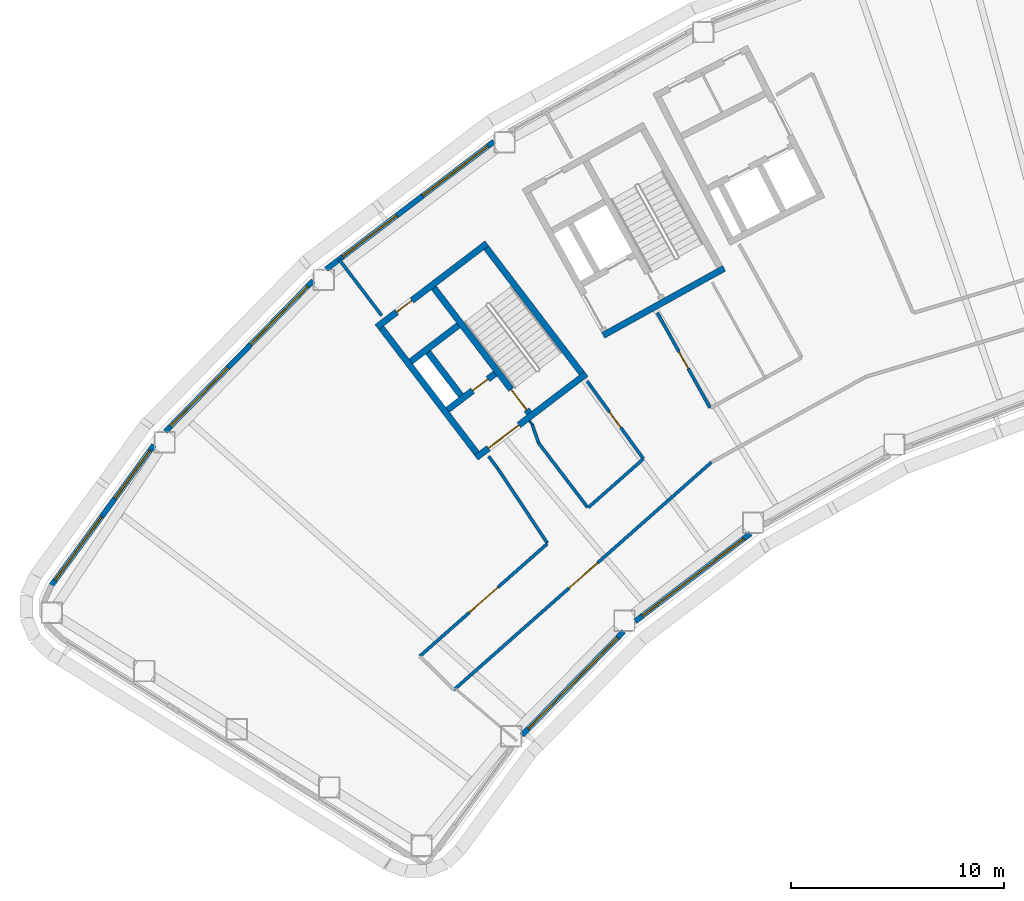
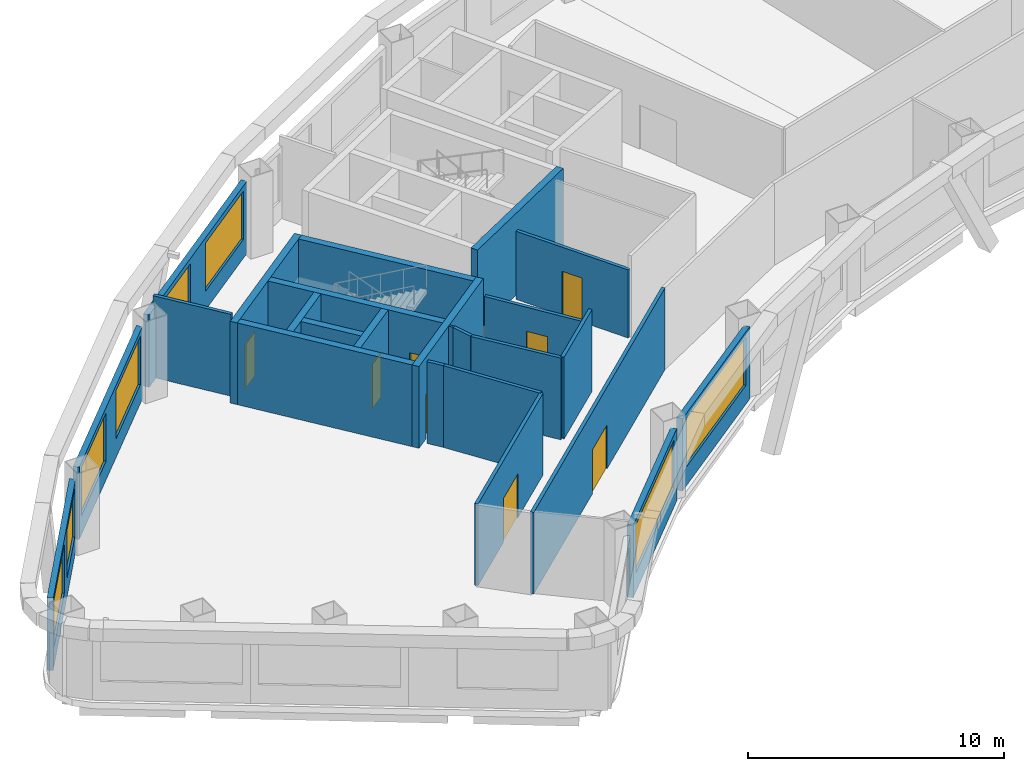
# One storey, part 3 of 13: 25 walls, 8 doors, 8 windows, 16 openings.
"""IFC4 building model written with IfcOpenShell, lengths in metres."""

from ifc_helpers import new_model, si_unit, direction, frame, frame_2d, origin, place, context, subcontext, project, spatial, rectangle, extrude, material, layer, layer_set, type_object, element, fill, save


model = new_model("IFC4")

# Units and contexts
model_context = context("Model", 3, precision=1e-05, world=origin(), true_north=direction((0.0, 1.0)))
body_context = subcontext(model_context, "Body", "Model", "MODEL_VIEW")
ifc_project = project(units=[si_unit("LENGTHUNIT", "METRE"), si_unit("AREAUNIT", "SQUARE_METRE"), si_unit("VOLUMEUNIT", "CUBIC_METRE"), si_unit("PLANEANGLEUNIT", "RADIAN"), si_unit("MASSUNIT", "GRAM", prefix="KILO")], contexts=[model_context])

# Site, building, storey
site_placement = place(None, origin())
site = spatial("IfcSite", under=ifc_project, at=site_placement, CompositionType="ELEMENT")
building_placement = place(site_placement, origin())
building = spatial("IfcBuilding", under=site, at=building_placement, Name="Tuul Gate Civic Tower", CompositionType="ELEMENT")
storey_placement = place(building_placement, frame((0.0, 0.0, 150.800048828125)))
storey = spatial("IfcBuildingStorey", under=building, at=storey_placement, Name="Level 34", CompositionType="ELEMENT", Elevation=150.800048828125)

# Wall, opening, door
ifc_material_1 = material(Name="Concrete C50/60", Category="concrete")
ifc_layer_1 = layer(ifc_material_1, 0.300048828125)
ifc_layer_set_1 = layer_set([ifc_layer_1], Name="Concrete C50/60")
wall_type_1 = type_object("IfcWallType", Name="Core wall C50/60", PredefinedType="SHEAR", material=ifc_layer_set_1)
wall_1_placement = place(storey_placement, frame((-31.19091796875, -13.669677734375, 0.0), z_axis=(0.0, 0.0, 1.0), x_axis=(-0.795606717756, -0.605813461934, 0.0)))
wall_1 = element("IfcWall", 1, at=wall_1_placement, inside=storey, type_object=wall_type_1, Name="Core wall", PredefinedType="SHEAR", context=body_context, shape_type="SweptSolid", body=[
    extrude(rectangle(XDim=6.5, YDim=0.300048828125, at=frame_2d((3.25, 0.0))), origin(), (0.0, 0.0, 1.0), 3.89990234375),
])
opening_1_placement = place(wall_1_placement, frame((3.97509765625, 0.0, 0.0)))
opening_1 = element("IfcOpeningElement", 2, at=opening_1_placement, cuts=wall_1, Name="Opening LB-W1-LOBBY-1", PredefinedType="OPENING", context=body_context, shape_type="SweptSolid", body=[
    extrude(rectangle(XDim=1.800048828125, YDim=2.10009765625, at=frame_2d((0.89990234375, 1.050048828125))), frame((0.0, 0.16015625, 0.0), z_axis=(0.0, -1.0, 0.0), x_axis=(1.0, 0.0, 0.0)), (0.0, 0.0, 1.0), 0.320068359375),
])
ifc_material_2 = material(Name="Steel", Category="steel")
door_type_1 = type_object("IfcDoorType", Name="Lobby door", OperationType="DOUBLE_DOOR_SINGLE_SWING", PredefinedType="DOOR", material=ifc_material_2)
door_1_placement = place(opening_1_placement, origin())
door_1 = element("IfcDoor", 3, at=door_1_placement, inside=storey, type_object=door_type_1, Name="Lobby door W1-LOBBY", OperationType="DOUBLE_DOOR_SINGLE_SWING", OverallHeight=2.10009765625, OverallWidth=1.800048828125, PredefinedType="DOOR", context=body_context, shape_type="SweptSolid", body=[
    extrude(rectangle(XDim=1.800048828125, YDim=2.10009765625, at=frame_2d((0.89990234375, 1.050048828125))), frame((0.0, 0.02490234375, 0.0), z_axis=(0.0, -1.0, 0.0), x_axis=(1.0, 0.0, 0.0)), (0.0, 0.0, 1.0), 0.050048828125),
])
fill(opening_1, door_1)

wall_2_placement = place(storey_placement, frame((-35.470947265625, -13.66064453125, 0.0), z_axis=(0.0, 0.0, 1.0), x_axis=(-0.795615822227, -0.605801504968, 0.0)))
wall_2 = element("IfcWall", 4, at=wall_2_placement, inside=storey, type_object=wall_type_1, Name="Core wall", PredefinedType="SHEAR", context=body_context, shape_type="SweptSolid", body=[
    extrude(rectangle(XDim=2.800048828125, YDim=0.300048828125, at=frame_2d((1.39990234375, 0.0))), origin(), (0.0, 0.0, 1.0), 3.89990234375),
])
opening_2_placement = place(wall_2_placement, frame((0.425048828125, 0.0, 0.0)))
opening_2 = element("IfcOpeningElement", 5, at=opening_2_placement, cuts=wall_2, Name="Opening FB-W1A1", PredefinedType="OPENING", context=body_context, shape_type="SweptSolid", body=[
    extrude(rectangle(XDim=0.89990234375, YDim=2.10009765625, at=frame_2d((0.449951171875, 1.050048828125))), frame((0.0, 0.16015625, 0.0), z_axis=(0.0, -1.0, 0.0), x_axis=(1.0, 0.0, 0.0)), (0.0, 0.0, 1.0), 0.320068359375),
])
ifc_material_3 = material(Name="Steel", Category="steel")
door_type_2 = type_object("IfcDoorType", Name="Store door", OperationType="NOTDEFINED", PredefinedType="DOOR", material=ifc_material_3)
door_2_placement = place(opening_2_placement, frame((0.89990234375, 0.0, 0.0), z_axis=(0.0, 0.0, 1.0), x_axis=(-1.0, 0.0, 0.0)))
door_2 = element("IfcDoor", 6, at=door_2_placement, inside=storey, type_object=door_type_2, Name="Store door W1A1", OperationType="SINGLE_SWING_RIGHT", OverallHeight=2.10009765625, OverallWidth=0.89990234375, PredefinedType="DOOR", context=body_context, shape_type="SweptSolid", body=[
    extrude(rectangle(XDim=0.89990234375, YDim=2.10009765625, at=frame_2d((0.449951171875, 1.050048828125))), frame((0.0, 0.02490234375, 0.0), z_axis=(0.0, -1.0, 0.0), x_axis=(1.0, 0.0, 0.0)), (0.0, 0.0, 1.0), 0.050048828125),
])
fill(opening_2, door_2)

# Wall
wall_3_placement = place(storey_placement, frame((-37.197509765625, -11.39306640625, 0.0), z_axis=(0.0, 0.0, 1.0), x_axis=(-0.795583820278, -0.605843531707, 0.0)))
element("IfcWall", 7, at=wall_3_placement, inside=storey, type_object=wall_type_1, Name="Core wall", PredefinedType="SHEAR", context=body_context, shape_type="SweptSolid", body=[
    extrude(rectangle(XDim=2.7998046875, YDim=0.300048828125, at=frame_2d((1.39990234375, 0.0))), origin(), (0.0, 0.0, 1.0), 3.89990234375),
])

# Wall, opening, door
wall_4_placement = place(storey_placement, frame((-35.855224609375, -7.543212890625, 0.0), z_axis=(0.0, 0.0, 1.0), x_axis=(-0.79563860527, -0.605771582202, 0.0)))
wall_4 = element("IfcWall", 8, at=wall_4_placement, inside=storey, type_object=wall_type_1, Name="Core wall", PredefinedType="SHEAR", context=body_context, shape_type="SweptSolid", body=[
    extrude(rectangle(XDim=6.5, YDim=0.300048828125, at=frame_2d((3.25, 0.0))), origin(), (0.0, 0.0, 1.0), 3.89990234375),
])
opening_3_placement = place(wall_4_placement, frame((4.425048828125, 0.0, 0.0)))
opening_3 = element("IfcOpeningElement", 9, at=opening_3_placement, cuts=wall_4, Name="Opening L-D11", PredefinedType="OPENING", context=body_context, shape_type="SweptSolid", body=[
    extrude(rectangle(XDim=0.89990234375, YDim=2.10009765625, at=frame_2d((0.449951171875, 1.050048828125))), frame((0.0, 0.16015625, 0.0), z_axis=(0.0, -1.0, 0.0), x_axis=(1.0, 0.0, 0.0)), (0.0, 0.0, 1.0), 0.320068359375),
])
ifc_material_4 = material(Name="Timber door leaf", Category="wood")
door_type_3 = type_object("IfcDoorType", Name="Door D09", OperationType="NOTDEFINED", PredefinedType="DOOR", material=ifc_material_4)
door_3_placement = place(opening_3_placement, origin())
door_3 = element("IfcDoor", 10, at=door_3_placement, inside=storey, type_object=door_type_3, Name="Door L-D11", OperationType="SINGLE_SWING_LEFT", OverallHeight=2.10009765625, OverallWidth=0.89990234375, PredefinedType="DOOR", context=body_context, shape_type="SweptSolid", body=[
    extrude(rectangle(XDim=0.89990234375, YDim=2.10009765625, at=frame_2d((0.449951171875, 1.050048828125))), frame((0.0, 0.02490234375, 0.0), z_axis=(0.0, -1.0, 0.0), x_axis=(1.0, 0.0, 0.0)), (0.0, 0.0, 1.0), 0.050048828125),
])
fill(opening_3, door_3)

# Wall
wall_5_placement = place(storey_placement, frame((-31.401123046875, -13.64111328125, 0.0), z_axis=(0.0, 0.0, 1.0), x_axis=(-0.605769822278, 0.795639945213, 0.0)))
element("IfcWall", 11, at=wall_5_placement, inside=storey, type_object=wall_type_1, Name="Core wall", PredefinedType="SHEAR", context=body_context, shape_type="SweptSolid", body=[
    extrude(rectangle(XDim=7.39990234375, YDim=0.300048828125, at=frame_2d((3.699951171875, 0.0))), origin(), (0.0, 0.0, 1.0), 3.89990234375),
])

# Wall, opening, door
wall_6_placement = place(storey_placement, frame((-33.867431640625, -15.51904296875, 0.0), z_axis=(0.0, 0.0, 1.0), x_axis=(-0.605769822278, 0.795639945213, 0.0)))
wall_6 = element("IfcWall", 12, at=wall_6_placement, inside=storey, type_object=wall_type_1, Name="Core wall", PredefinedType="SHEAR", context=body_context, shape_type="SweptSolid", body=[
    extrude(rectangle(XDim=7.39990234375, YDim=0.300048828125, at=frame_2d((3.699951171875, 0.0))), origin(), (0.0, 0.0, 1.0), 3.89990234375),
])
opening_4_placement = place(wall_6_placement, frame((0.199951171875, 0.0, 0.0)))
opening_4 = element("IfcOpeningElement", 13, at=opening_4_placement, cuts=wall_6, Name="Opening SD-ST-1", PredefinedType="OPENING", context=body_context, shape_type="SweptSolid", body=[
    extrude(rectangle(XDim=1.199951171875, YDim=2.10009765625, at=frame_2d((0.60009765625, 1.050048828125))), frame((0.0, 0.16015625, 0.0), z_axis=(0.0, -1.0, 0.0), x_axis=(1.0, 0.0, 0.0)), (0.0, 0.0, 1.0), 0.320068359375),
])
ifc_material_5 = material(Name="Steel", Category="steel")
door_type_4 = type_object("IfcDoorType", Name="Stair door", OperationType="NOTDEFINED", PredefinedType="DOOR", material=ifc_material_5)
door_4_placement = place(opening_4_placement, origin())
door_4 = element("IfcDoor", 14, at=door_4_placement, inside=storey, type_object=door_type_4, Name="Stair door ST-1", OperationType="SINGLE_SWING_LEFT", OverallHeight=2.10009765625, OverallWidth=1.199951171875, PredefinedType="DOOR", context=body_context, shape_type="SweptSolid", body=[
    extrude(rectangle(XDim=1.199951171875, YDim=2.10009765625, at=frame_2d((0.60009765625, 1.050048828125))), frame((0.0, 0.02490234375, 0.0), z_axis=(0.0, -1.0, 0.0), x_axis=(1.0, 0.0, 0.0)), (0.0, 0.0, 1.0), 0.050048828125),
])
fill(opening_4, door_4)

# Walls
wall_7_placement = place(storey_placement, frame((-37.073486328125, -14.6923828125, 0.0), z_axis=(0.0, 0.0, 1.0), x_axis=(-0.605728760074, 0.79567120673, 0.0)))
element("IfcWall", 15, at=wall_7_placement, inside=storey, type_object=wall_type_1, Name="Core wall", PredefinedType="SHEAR", context=body_context, shape_type="SweptSolid", body=[
    extrude(rectangle(XDim=2.550048828125, YDim=0.300048828125, at=frame_2d((1.27490234375, 0.0))), origin(), (0.0, 0.0, 1.0), 3.89990234375),
])
wall_8_placement = place(storey_placement, frame((-36.333984375, -17.397216796875, 0.0), z_axis=(0.0, 0.0, 1.0), x_axis=(-0.605753921168, 0.795652051458, 0.0)))
element("IfcWall", 16, at=wall_8_placement, inside=storey, type_object=wall_type_1, Name="Core wall", PredefinedType="SHEAR", context=body_context, shape_type="SweptSolid", body=[
    extrude(rectangle(XDim=7.400146484375, YDim=0.300048828125, at=frame_2d((3.7001953125, 0.0))), origin(), (0.0, 0.0, 1.0), 3.89990234375),
])
wall_9_placement = place(storey_placement, frame((-24.711669921875, -8.7158203125, 0.0), z_axis=(0.0, 0.0, 1.0), x_axis=(-0.874629909008, -0.484791215132, 0.0)))
element("IfcWall", 17, at=wall_9_placement, inside=storey, type_object=wall_type_1, Name="Core wall", PredefinedType="SHEAR", context=body_context, shape_type="SweptSolid", body=[
    extrude(rectangle(XDim=6.5, YDim=0.300048828125, at=frame_2d((3.25, 0.0))), origin(), (0.0, 0.0, 1.0), 3.89990234375),
])
ifc_material_6 = material(Name="Gypsum board partition")
ifc_layer_2 = layer(ifc_material_6, 0.14990234375)
ifc_layer_set_2 = layer_set([ifc_layer_2], Name="Gypsum board partition")
wall_type_2 = type_object("IfcWallType", Name="Corridor wall P150", PredefinedType="PARTITIONING", material=ifc_layer_set_2)
wall_10_placement = place(storey_placement, frame((-42.802001953125, -8.295166015625, 0.0), z_axis=(0.0, 0.0, 1.0), x_axis=(0.60469797749, -0.796454867535, 0.0)))
element("IfcWall", 18, at=wall_10_placement, inside=storey, type_object=wall_type_2, Name="p029", PredefinedType="PARTITIONING", context=body_context, shape_type="SweptSolid", body=[
    extrude(rectangle(XDim=3.310302734375, YDim=0.14990234375, at=frame_2d((1.6552734375, 0.0))), origin(), (0.0, 0.0, 1.0), 3.89990234375),
])
wall_11_placement = place(storey_placement, frame((-35.781982421875, -17.54248046875, 0.0), z_axis=(0.0, 0.0, 1.0), x_axis=(0.604688945267, -0.796461725052, 0.0)))
element("IfcWall", 19, at=wall_11_placement, inside=storey, type_object=wall_type_2, Name="p030", PredefinedType="PARTITIONING", context=body_context, shape_type="SweptSolid", body=[
    extrude(rectangle(XDim=0.70654296875, YDim=0.14990234375, at=frame_2d((0.353271484375, 0.0))), origin(), (0.0, 0.0, 1.0), 3.89990234375),
])
wall_12_placement = place(storey_placement, frame((-35.354736328125, -18.105224609375, 0.0), z_axis=(0.0, 0.0, 1.0), x_axis=(0.553299799825, -0.832982191594, 0.0)))
element("IfcWall", 20, at=wall_12_placement, inside=storey, type_object=wall_type_2, Name="p031", PredefinedType="PARTITIONING", context=body_context, shape_type="SweptSolid", body=[
    extrude(rectangle(XDim=4.2265625, YDim=0.14990234375, at=frame_2d((2.11328125, 0.0))), origin(), (0.0, 0.0, 1.0), 3.89990234375),
])

# Wall, opening, door
wall_13_placement = place(storey_placement, frame((-39.0068359375, -26.9365234375, 0.0), z_axis=(0.0, 0.0, 1.0), x_axis=(0.749806624539, 0.66165703034, 0.0)))
wall_13 = element("IfcWall", 21, at=wall_13_placement, inside=storey, type_object=wall_type_2, Name="p032", PredefinedType="PARTITIONING", context=body_context, shape_type="SweptSolid", body=[
    extrude(rectangle(XDim=7.98486328125, YDim=0.14990234375, at=frame_2d((3.992431640625, 0.0))), origin(), (0.0, 0.0, 1.0), 3.89990234375),
])
opening_5_placement = place(wall_13_placement, frame((3.09228515625, 0.0, 0.0)))
opening_5 = element("IfcOpeningElement", 22, at=opening_5_placement, cuts=wall_13, Name="Opening L-D07", PredefinedType="OPENING", context=body_context, shape_type="SweptSolid", body=[
    extrude(rectangle(XDim=1.800048828125, YDim=2.10009765625, at=frame_2d((0.89990234375, 1.050048828125))), frame((0.0, 0.0849609375, 0.0), z_axis=(0.0, -1.0, 0.0), x_axis=(1.0, 0.0, 0.0)), (0.0, 0.0, 1.0), 0.169921875),
])
ifc_material_7 = material(Name="Timber door leaf, double", Category="wood")
door_type_5 = type_object("IfcDoorType", Name="Door D18", OperationType="DOUBLE_DOOR_SINGLE_SWING", PredefinedType="DOOR", material=ifc_material_7)
door_5_placement = place(opening_5_placement, origin())
door_5 = element("IfcDoor", 23, at=door_5_placement, inside=storey, type_object=door_type_5, Name="Door L-D07", OperationType="DOUBLE_DOOR_SINGLE_SWING", OverallHeight=2.10009765625, OverallWidth=1.800048828125, PredefinedType="DOOR", context=body_context, shape_type="SweptSolid", body=[
    extrude(rectangle(XDim=1.800048828125, YDim=2.10009765625, at=frame_2d((0.89990234375, 1.050048828125))), frame((0.0, 0.02490234375, 0.0), z_axis=(0.0, -1.0, 0.0), x_axis=(1.0, 0.0, 0.0)), (0.0, 0.0, 1.0), 0.050048828125),
])
fill(opening_5, door_5)

# Wall
wall_14_placement = place(storey_placement, frame((-31.09228515625, -19.9521484375, 0.0), z_axis=(0.0, 0.0, 1.0), x_axis=(0.749802618554, 0.661661569996, 0.0)))
element("IfcWall", 24, at=wall_14_placement, inside=storey, type_object=wall_type_2, Name="p033", PredefinedType="PARTITIONING", context=body_context, shape_type="SweptSolid", body=[
    extrude(rectangle(XDim=3.4375, YDim=0.14990234375, at=frame_2d((1.71875, 0.0))), origin(), (0.0, 0.0, 1.0), 3.89990234375),
])

# Wall, opening, door
wall_15_placement = place(storey_placement, frame((-37.405517578125, -28.517333984375, 0.0), z_axis=(0.0, 0.0, 1.0), x_axis=(0.749274461917, 0.66225960221, 0.0)))
wall_15 = element("IfcWall", 25, at=wall_15_placement, inside=storey, type_object=wall_type_2, Name="p035", PredefinedType="PARTITIONING", context=body_context, shape_type="SweptSolid", body=[
    extrude(rectangle(XDim=16.144287109375, YDim=0.14990234375, at=frame_2d((8.072265625, 0.0))), origin(), (0.0, 0.0, 1.0), 3.89990234375),
])
opening_6_placement = place(wall_15_placement, frame((7.215087890625, 0.0, 0.0)))
opening_6 = element("IfcOpeningElement", 26, at=opening_6_placement, cuts=wall_15, Name="Opening L-D09", PredefinedType="OPENING", context=body_context, shape_type="SweptSolid", body=[
    extrude(rectangle(XDim=1.800048828125, YDim=2.10009765625, at=frame_2d((0.89990234375, 1.050048828125))), frame((0.0, 0.0849609375, 0.0), z_axis=(0.0, -1.0, 0.0), x_axis=(1.0, 0.0, 0.0)), (0.0, 0.0, 1.0), 0.169921875),
])
door_6_placement = place(opening_6_placement, frame((1.800048828125, 0.0, 0.0), z_axis=(0.0, 0.0, 1.0), x_axis=(-1.0, 0.0, 0.0)))
door_6 = element("IfcDoor", 27, at=door_6_placement, inside=storey, type_object=door_type_5, Name="Door L-D09", OperationType="DOUBLE_DOOR_SINGLE_SWING", OverallHeight=2.10009765625, OverallWidth=1.800048828125, PredefinedType="DOOR", context=body_context, shape_type="SweptSolid", body=[
    extrude(rectangle(XDim=1.800048828125, YDim=2.10009765625, at=frame_2d((0.900146484375, 1.050048828125))), frame((0.0, 0.02490234375, 0.0), z_axis=(0.0, -1.0, 0.0), x_axis=(1.0, 0.0, 0.0)), (0.0, 0.0, 1.0), 0.050048828125),
])
fill(opening_6, door_6)

# Walls
wall_16_placement = place(storey_placement, frame((-33.427001953125, -16.922607421875, 0.0), z_axis=(0.0, 0.0, 1.0), x_axis=(0.605786007011, -0.795627622515, 0.0)))
element("IfcWall", 28, at=wall_16_placement, inside=storey, type_object=wall_type_2, Name="p043", PredefinedType="PARTITIONING", context=body_context, shape_type="SweptSolid", body=[
    extrude(rectangle(XDim=3.803955078125, YDim=0.14990234375, at=frame_2d((1.90185546875, 0.0))), origin(), (0.0, 0.0, 1.0), 3.89990234375),
])
wall_17_placement = place(storey_placement, frame((-33.7265625, -16.053466796875, 0.0), z_axis=(0.0, 0.0, 1.0), x_axis=(0.324570788901, -0.94586140792, 0.0)))
element("IfcWall", 29, at=wall_17_placement, inside=storey, type_object=wall_type_2, Name="p044", PredefinedType="PARTITIONING", context=body_context, shape_type="SweptSolid", body=[
    extrude(rectangle(XDim=0.91162109375, YDim=0.14990234375, at=frame_2d((0.455810546875, 0.0))), origin(), (0.0, 0.0, 1.0), 3.89990234375),
])

# Wall, opening, door
ifc_material_8 = material(Name="Gypsum board partition")
ifc_layer_3 = layer(ifc_material_8, 0.14990234375)
ifc_layer_set_3 = layer_set([ifc_layer_3], Name="Gypsum board partition")
wall_type_3 = type_object("IfcWallType", Name="Corridor wall P150 3250 HIGH", PredefinedType="PARTITIONING", material=ifc_layer_set_3)
wall_18_placement = place(storey_placement, frame((-27.850341796875, -10.799560546875, 0.0), z_axis=(0.0, 0.0, 1.0), x_axis=(0.484294976114, -0.874904781168, 0.0)))
wall_18 = element("IfcWall", 30, at=wall_18_placement, inside=storey, type_object=wall_type_3, Name="p027", PredefinedType="PARTITIONING", context=body_context, shape_type="SweptSolid", body=[
    extrude(rectangle(XDim=5.107666015625, YDim=0.14990234375, at=frame_2d((2.5537109375, 0.0))), origin(), (0.0, 0.0, 1.0), 3.25),
])
opening_7_placement = place(wall_18_placement, frame((2.103759765625, 0.0, 0.0)))
opening_7 = element("IfcOpeningElement", 31, at=opening_7_placement, cuts=wall_18, Name="Opening L-D06", PredefinedType="OPENING", context=body_context, shape_type="SweptSolid", body=[
    extrude(rectangle(XDim=0.89990234375, YDim=2.10009765625, at=frame_2d((0.449951171875, 1.050048828125))), frame((0.0, 0.0849609375, 0.0), z_axis=(0.0, -1.0, 0.0), x_axis=(1.0, 0.0, 0.0)), (0.0, 0.0, 1.0), 0.169921875),
])
door_7_placement = place(opening_7_placement, origin())
door_7 = element("IfcDoor", 32, at=door_7_placement, inside=storey, type_object=door_type_3, Name="Door L-D06", OperationType="SINGLE_SWING_RIGHT", OverallHeight=2.10009765625, OverallWidth=0.89990234375, PredefinedType="DOOR", context=body_context, shape_type="SweptSolid", body=[
    extrude(rectangle(XDim=0.89990234375, YDim=2.10009765625, at=frame_2d((0.449951171875, 1.050048828125))), frame((0.0, 0.02490234375, 0.0), z_axis=(0.0, -1.0, 0.0), x_axis=(1.0, 0.0, 0.0)), (0.0, 0.0, 1.0), 0.050048828125),
])
fill(opening_7, door_7)

wall_19_placement = place(storey_placement, frame((-31.1484375, -14.015625, 0.0), z_axis=(0.0, 0.0, 1.0), x_axis=(0.587240188271, -0.809412726166, 0.0)))
wall_19 = element("IfcWall", 33, at=wall_19_placement, inside=storey, type_object=wall_type_3, Name="p042", PredefinedType="PARTITIONING", context=body_context, shape_type="SweptSolid", body=[
    extrude(rectangle(XDim=4.489990234375, YDim=0.14990234375, at=frame_2d((2.2451171875, 0.0))), origin(), (0.0, 0.0, 1.0), 3.25),
])
opening_8_placement = place(wall_19_placement, frame((1.794921875, 0.0, 0.0)))
opening_8 = element("IfcOpeningElement", 34, at=opening_8_placement, cuts=wall_19, Name="Opening L-D10", PredefinedType="OPENING", context=body_context, shape_type="SweptSolid", body=[
    extrude(rectangle(XDim=0.89990234375, YDim=2.10009765625, at=frame_2d((0.449951171875, 1.050048828125))), frame((0.0, 0.0849609375, 0.0), z_axis=(0.0, -1.0, 0.0), x_axis=(1.0, 0.0, 0.0)), (0.0, 0.0, 1.0), 0.169921875),
])
door_8_placement = place(opening_8_placement, frame((0.89990234375, 0.0, 0.0), z_axis=(0.0, 0.0, 1.0), x_axis=(-1.0, 0.0, 0.0)))
door_8 = element("IfcDoor", 35, at=door_8_placement, inside=storey, type_object=door_type_3, Name="Door L-D10", OperationType="SINGLE_SWING_LEFT", OverallHeight=2.10009765625, OverallWidth=0.89990234375, PredefinedType="DOOR", context=body_context, shape_type="SweptSolid", body=[
    extrude(rectangle(XDim=0.89990234375, YDim=2.10009765625, at=frame_2d((0.449951171875, 1.050048828125))), frame((0.0, 0.02490234375, 0.0), z_axis=(0.0, -1.0, 0.0), x_axis=(1.0, 0.0, 0.0)), (0.0, 0.0, 1.0), 0.050048828125),
])
fill(opening_8, door_8)

# Wall, openings, windows
ifc_material_9 = material(Name="Precast concrete C40/50", Category="concrete")
ifc_layer_4 = layer(ifc_material_9, 0.25)
ifc_layer_set_4 = layer_set([ifc_layer_4], Name="Precast concrete C40/50")
wall_type_4 = type_object("IfcWallType", Name="External wall", PredefinedType="STANDARD", material=ifc_layer_set_4)
wall_20_placement = place(storey_placement, frame((-35.528076171875, -2.7626953125, 0.0), z_axis=(0.0, 0.0, 1.0), x_axis=(-0.79560098888, -0.605820985518, 0.0)))
wall_20 = element("IfcWall", 36, at=wall_20_placement, inside=storey, type_object=wall_type_4, Name="External wall", PredefinedType="STANDARD", context=body_context, shape_type="SweptSolid", body=[
    extrude(rectangle(XDim=9.89794921875, YDim=0.25, at=frame_2d((4.948974609375, 0.0))), origin(), (0.0, 0.0, 1.0), 3.449951171875),
])
opening_9_placement = place(wall_20_placement, frame((0.347412109375, 0.0, 0.89990234375)))
opening_9 = element("IfcOpeningElement", 37, at=opening_9_placement, cuts=wall_20, Name="Opening W22", PredefinedType="OPENING", context=body_context, shape_type="SweptSolid", body=[
    extrude(rectangle(XDim=3.85009765625, YDim=2.300048828125, at=frame_2d((1.925048828125, 1.14990234375))), frame((0.0, 0.135009765625, 0.0), z_axis=(0.0, -1.0, 0.0), x_axis=(1.0, 0.0, 0.0)), (0.0, 0.0, 1.0), 0.27001953125),
])
opening_10_placement = place(wall_20_placement, frame((5.72900390625, 0.0, 0.89990234375)))
opening_10 = element("IfcOpeningElement", 38, at=opening_10_placement, cuts=wall_20, Name="Opening W48", PredefinedType="OPENING", context=body_context, shape_type="SweptSolid", body=[
    extrude(rectangle(XDim=3.199951171875, YDim=2.300048828125, at=frame_2d((1.60009765625, 1.14990234375))), frame((0.0, 0.135009765625, 0.0), z_axis=(0.0, -1.0, 0.0), x_axis=(1.0, 0.0, 0.0)), (0.0, 0.0, 1.0), 0.27001953125),
])
ifc_material_10 = material(Name="Glass", Category="glass")
window_type_1 = type_object("IfcWindowType", Name="Window 3200 x 2300", PartitioningType="SINGLE_PANEL", PredefinedType="WINDOW", material=ifc_material_10)
window_1_placement = place(opening_10_placement, origin())
window_1 = element("IfcWindow", 39, at=window_1_placement, inside=storey, type_object=window_type_1, Name="Window", OverallHeight=2.300048828125, OverallWidth=3.199951171875, PartitioningType="SINGLE_PANEL", PredefinedType="WINDOW", context=body_context, shape_type="SweptSolid", body=[
    extrude(rectangle(XDim=3.199951171875, YDim=2.300048828125, at=frame_2d((1.60009765625, 1.14990234375))), frame((0.0, 0.030029296875, 0.0), z_axis=(0.0, -1.0, 0.0), x_axis=(1.0, 0.0, 0.0)), (0.0, 0.0, 1.0), 0.06005859375),
])
fill(opening_10, window_1)
ifc_material_11 = material(Name="Glass", Category="glass")
window_type_2 = type_object("IfcWindowType", Name="Window W22 3850 x 2300", PartitioningType="SINGLE_PANEL", PredefinedType="WINDOW", material=ifc_material_11)
window_2_placement = place(opening_9_placement, origin())
window_2 = element("IfcWindow", 40, at=window_2_placement, inside=storey, type_object=window_type_2, Name="Window", OverallHeight=2.300048828125, OverallWidth=3.85009765625, PartitioningType="SINGLE_PANEL", PredefinedType="WINDOW", context=body_context, shape_type="SweptSolid", body=[
    extrude(rectangle(XDim=3.85009765625, YDim=2.300048828125, at=frame_2d((1.925048828125, 1.14990234375))), frame((0.0, 0.030029296875, 0.0), z_axis=(0.0, -1.0, 0.0), x_axis=(1.0, 0.0, 0.0)), (0.0, 0.0, 1.0), 0.06005859375),
])
fill(opening_9, window_2)

wall_21_placement = place(storey_placement, frame((-44.02392578125, -9.3056640625, 0.0), z_axis=(0.0, 0.0, 1.0), x_axis=(-0.700052449461, -0.714091428323, 0.0)))
wall_21 = element("IfcWall", 41, at=wall_21_placement, inside=storey, type_object=wall_type_4, Name="External wall", PredefinedType="STANDARD", context=body_context, shape_type="SweptSolid", body=[
    extrude(rectangle(XDim=9.912353515625, YDim=0.25, at=frame_2d((4.9560546875, 0.0))), origin(), (0.0, 0.0, 1.0), 3.449951171875),
])
opening_11_placement = place(wall_21_placement, frame((0.344482421875, 0.0, 0.89990234375)))
opening_11 = element("IfcOpeningElement", 42, at=opening_11_placement, cuts=wall_21, Name="Opening W22", PredefinedType="OPENING", context=body_context, shape_type="SweptSolid", body=[
    extrude(rectangle(XDim=3.85009765625, YDim=2.300048828125, at=frame_2d((1.925048828125, 1.14990234375))), frame((0.0, 0.135009765625, 0.0), z_axis=(0.0, -1.0, 0.0), x_axis=(1.0, 0.0, 0.0)), (0.0, 0.0, 1.0), 0.27001953125),
])
opening_12_placement = place(wall_21_placement, frame((5.715576171875, 0.0, 0.89990234375)))
opening_12 = element("IfcOpeningElement", 43, at=opening_12_placement, cuts=wall_21, Name="Opening W22", PredefinedType="OPENING", context=body_context, shape_type="SweptSolid", body=[
    extrude(rectangle(XDim=3.85009765625, YDim=2.300048828125, at=frame_2d((1.925048828125, 1.14990234375))), frame((0.0, 0.135009765625, 0.0), z_axis=(0.0, -1.0, 0.0), x_axis=(1.0, 0.0, 0.0)), (0.0, 0.0, 1.0), 0.27001953125),
])
window_3_placement = place(opening_11_placement, origin())
window_3 = element("IfcWindow", 44, at=window_3_placement, inside=storey, type_object=window_type_2, Name="Window", OverallHeight=2.300048828125, OverallWidth=3.85009765625, PartitioningType="SINGLE_PANEL", PredefinedType="WINDOW", context=body_context, shape_type="SweptSolid", body=[
    extrude(rectangle(XDim=3.85009765625, YDim=2.300048828125, at=frame_2d((1.925048828125, 1.14990234375))), frame((0.0, 0.030029296875, 0.0), z_axis=(0.0, -1.0, 0.0), x_axis=(1.0, 0.0, 0.0)), (0.0, 0.0, 1.0), 0.06005859375),
])
fill(opening_11, window_3)
window_4_placement = place(opening_12_placement, origin())
window_4 = element("IfcWindow", 45, at=window_4_placement, inside=storey, type_object=window_type_2, Name="Window", OverallHeight=2.300048828125, OverallWidth=3.85009765625, PartitioningType="SINGLE_PANEL", PredefinedType="WINDOW", context=body_context, shape_type="SweptSolid", body=[
    extrude(rectangle(XDim=3.85009765625, YDim=2.300048828125, at=frame_2d((1.925048828125, 1.14990234375))), frame((0.0, 0.030029296875, 0.0), z_axis=(0.0, -1.0, 0.0), x_axis=(1.0, 0.0, 0.0)), (0.0, 0.0, 1.0), 0.06005859375),
])
fill(opening_12, window_4)

wall_22_placement = place(storey_placement, frame((-51.498046875, -17.017578125, 0.0), z_axis=(0.0, 0.0, 1.0), x_axis=(-0.589745261817, -0.807589330145, 0.0)))
wall_22 = element("IfcWall", 46, at=wall_22_placement, inside=storey, type_object=wall_type_4, Name="External wall", PredefinedType="STANDARD", context=body_context, shape_type="SweptSolid", body=[
    extrude(rectangle(XDim=8.167724609375, YDim=0.25, at=frame_2d((4.083984375, 0.0))), origin(), (0.0, 0.0, 1.0), 3.449951171875),
])
opening_13_placement = place(wall_22_placement, frame((0.315185546875, 0.0, 0.89990234375)))
opening_13 = element("IfcOpeningElement", 47, at=opening_13_placement, cuts=wall_22, Name="Opening W23", PredefinedType="OPENING", context=body_context, shape_type="SweptSolid", body=[
    extrude(rectangle(XDim=2.800048828125, YDim=2.300048828125, at=frame_2d((1.39990234375, 1.14990234375))), frame((0.0, 0.135009765625, 0.0), z_axis=(0.0, -1.0, 0.0), x_axis=(1.0, 0.0, 0.0)), (0.0, 0.0, 1.0), 0.27001953125),
])
opening_14_placement = place(wall_22_placement, frame((4.1669921875, 0.0, 0.89990234375)))
opening_14 = element("IfcOpeningElement", 48, at=opening_14_placement, cuts=wall_22, Name="Opening W21", PredefinedType="OPENING", context=body_context, shape_type="SweptSolid", body=[
    extrude(rectangle(XDim=3.699951171875, YDim=2.300048828125, at=frame_2d((1.85009765625, 1.14990234375))), frame((0.0, 0.135009765625, 0.0), z_axis=(0.0, -1.0, 0.0), x_axis=(1.0, 0.0, 0.0)), (0.0, 0.0, 1.0), 0.27001953125),
])
ifc_material_12 = material(Name="Glass", Category="glass")
window_type_3 = type_object("IfcWindowType", Name="Window W21 3700 x 2300", PartitioningType="SINGLE_PANEL", PredefinedType="WINDOW", material=ifc_material_12)
window_5_placement = place(opening_14_placement, origin())
window_5 = element("IfcWindow", 49, at=window_5_placement, inside=storey, type_object=window_type_3, Name="Window", OverallHeight=2.300048828125, OverallWidth=3.699951171875, PartitioningType="SINGLE_PANEL", PredefinedType="WINDOW", context=body_context, shape_type="SweptSolid", body=[
    extrude(rectangle(XDim=3.699951171875, YDim=2.300048828125, at=frame_2d((1.85009765625, 1.14990234375))), frame((0.0, 0.030029296875, 0.0), z_axis=(0.0, -1.0, 0.0), x_axis=(1.0, 0.0, 0.0)), (0.0, 0.0, 1.0), 0.06005859375),
])
fill(opening_14, window_5)
ifc_material_13 = material(Name="Glass", Category="glass")
window_type_4 = type_object("IfcWindowType", Name="Window W23 2800 x 2300", PartitioningType="SINGLE_PANEL", PredefinedType="WINDOW", material=ifc_material_13)
window_6_placement = place(opening_13_placement, origin())
window_6 = element("IfcWindow", 50, at=window_6_placement, inside=storey, type_object=window_type_4, Name="Window", OverallHeight=2.300048828125, OverallWidth=2.800048828125, PartitioningType="SINGLE_PANEL", PredefinedType="WINDOW", context=body_context, shape_type="SweptSolid", body=[
    extrude(rectangle(XDim=2.800048828125, YDim=2.300048828125, at=frame_2d((1.39990234375, 1.14990234375))), frame((0.0, 0.030029296875, 0.0), z_axis=(0.0, -1.0, 0.0), x_axis=(1.0, 0.0, 0.0)), (0.0, 0.0, 1.0), 0.06005859375),
])
fill(opening_13, window_6)

# Wall, opening, window
wall_23_placement = place(storey_placement, frame((-34.20703125, -30.647216796875, 0.0), z_axis=(0.0, 0.0, 1.0), x_axis=(0.700046388208, 0.714097370361, 0.0)))
wall_23 = element("IfcWall", 51, at=wall_23_placement, inside=storey, type_object=wall_type_4, Name="External wall", PredefinedType="STANDARD", context=body_context, shape_type="SweptSolid", body=[
    extrude(rectangle(XDim=6.82861328125, YDim=0.25, at=frame_2d((3.414306640625, 0.0))), origin(), (0.0, 0.0, 1.0), 3.449951171875),
])
opening_15_placement = place(wall_23_placement, frame((0.4130859375, 0.0, 0.89990234375)))
opening_15 = element("IfcOpeningElement", 52, at=opening_15_placement, cuts=wall_23, Name="Opening W26", PredefinedType="OPENING", context=body_context, shape_type="SweptSolid", body=[
    extrude(rectangle(XDim=6.0, YDim=2.300048828125, at=frame_2d((3.0, 1.14990234375))), frame((0.0, 0.135009765625, 0.0), z_axis=(0.0, -1.0, 0.0), x_axis=(1.0, 0.0, 0.0)), (0.0, 0.0, 1.0), 0.27001953125),
])
ifc_material_14 = material(Name="Glass", Category="glass")
window_type_5 = type_object("IfcWindowType", Name="Window W26 6000 x 2300", PartitioningType="SINGLE_PANEL", PredefinedType="WINDOW", material=ifc_material_14)
window_7_placement = place(opening_15_placement, origin())
window_7 = element("IfcWindow", 53, at=window_7_placement, inside=storey, type_object=window_type_5, Name="Window", OverallHeight=2.300048828125, OverallWidth=6.0, PartitioningType="SINGLE_PANEL", PredefinedType="WINDOW", context=body_context, shape_type="SweptSolid", body=[
    extrude(rectangle(XDim=6.0, YDim=2.300048828125, at=frame_2d((3.0, 1.14990234375))), frame((0.0, 0.030029296875, 0.0), z_axis=(0.0, -1.0, 0.0), x_axis=(1.0, 0.0, 0.0)), (0.0, 0.0, 1.0), 0.06005859375),
])
fill(opening_15, window_7)

wall_24_placement = place(storey_placement, frame((-28.89306640625, -25.2998046875, 0.0), z_axis=(0.0, 0.0, 1.0), x_axis=(0.795597025415, 0.605826190546, 0.0)))
wall_24 = element("IfcWall", 54, at=wall_24_placement, inside=storey, type_object=wall_type_4, Name="External wall", PredefinedType="STANDARD", context=body_context, shape_type="SweptSolid", body=[
    extrude(rectangle(XDim=6.813232421875, YDim=0.25, at=frame_2d((3.40673828125, 0.0))), origin(), (0.0, 0.0, 1.0), 3.449951171875),
])
opening_16_placement = place(wall_24_placement, frame((0.41552734375, 0.0, 0.89990234375)))
opening_16 = element("IfcOpeningElement", 55, at=opening_16_placement, cuts=wall_24, Name="Opening W26", PredefinedType="OPENING", context=body_context, shape_type="SweptSolid", body=[
    extrude(rectangle(XDim=6.0, YDim=2.300048828125, at=frame_2d((3.0, 1.14990234375))), frame((0.0, 0.135009765625, 0.0), z_axis=(0.0, -1.0, 0.0), x_axis=(1.0, 0.0, 0.0)), (0.0, 0.0, 1.0), 0.27001953125),
])
window_8_placement = place(opening_16_placement, origin())
window_8 = element("IfcWindow", 56, at=window_8_placement, inside=storey, type_object=window_type_5, Name="Window", OverallHeight=2.300048828125, OverallWidth=6.0, PartitioningType="SINGLE_PANEL", PredefinedType="WINDOW", context=body_context, shape_type="SweptSolid", body=[
    extrude(rectangle(XDim=6.0, YDim=2.300048828125, at=frame_2d((3.0, 1.14990234375))), frame((0.0, 0.030029296875, 0.0), z_axis=(0.0, -1.0, 0.0), x_axis=(1.0, 0.0, 0.0)), (0.0, 0.0, 1.0), 0.06005859375),
])
fill(opening_16, window_8)

# Wall
ifc_material_15 = material(Name="Gypsum board partition")
ifc_layer_5 = layer(ifc_material_15, 0.10009765625)
ifc_layer_set_5 = layer_set([ifc_layer_5], Name="Gypsum board partition")
wall_type_5 = type_object("IfcWallType", Name="Partition P100", PredefinedType="PARTITIONING", material=ifc_layer_set_5)
wall_25_placement = place(storey_placement, frame((-33.7265625, -16.053466796875, 0.0), z_axis=(0.0, 0.0, 1.0), x_axis=(-0.605553776309, 0.795804388023, 0.0)))
element("IfcWall", 57, at=wall_25_placement, inside=storey, type_object=wall_type_5, Name="p048", PredefinedType="PARTITIONING", context=body_context, shape_type="SweptSolid", body=[
    extrude(rectangle(XDim=0.21044921875, YDim=0.10009765625, at=frame_2d((0.105224609375, 0.0))), origin(), (0.0, 0.0, 1.0), 3.89990234375),
])

save(model, "model.ifc")
